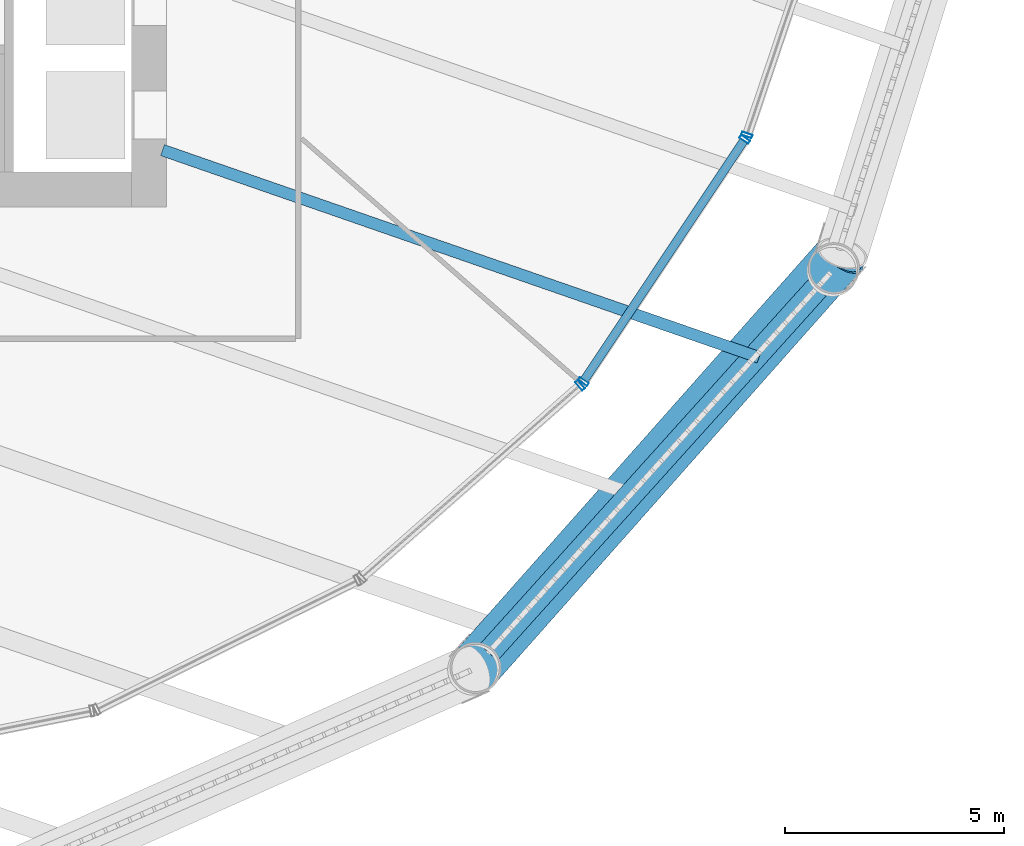
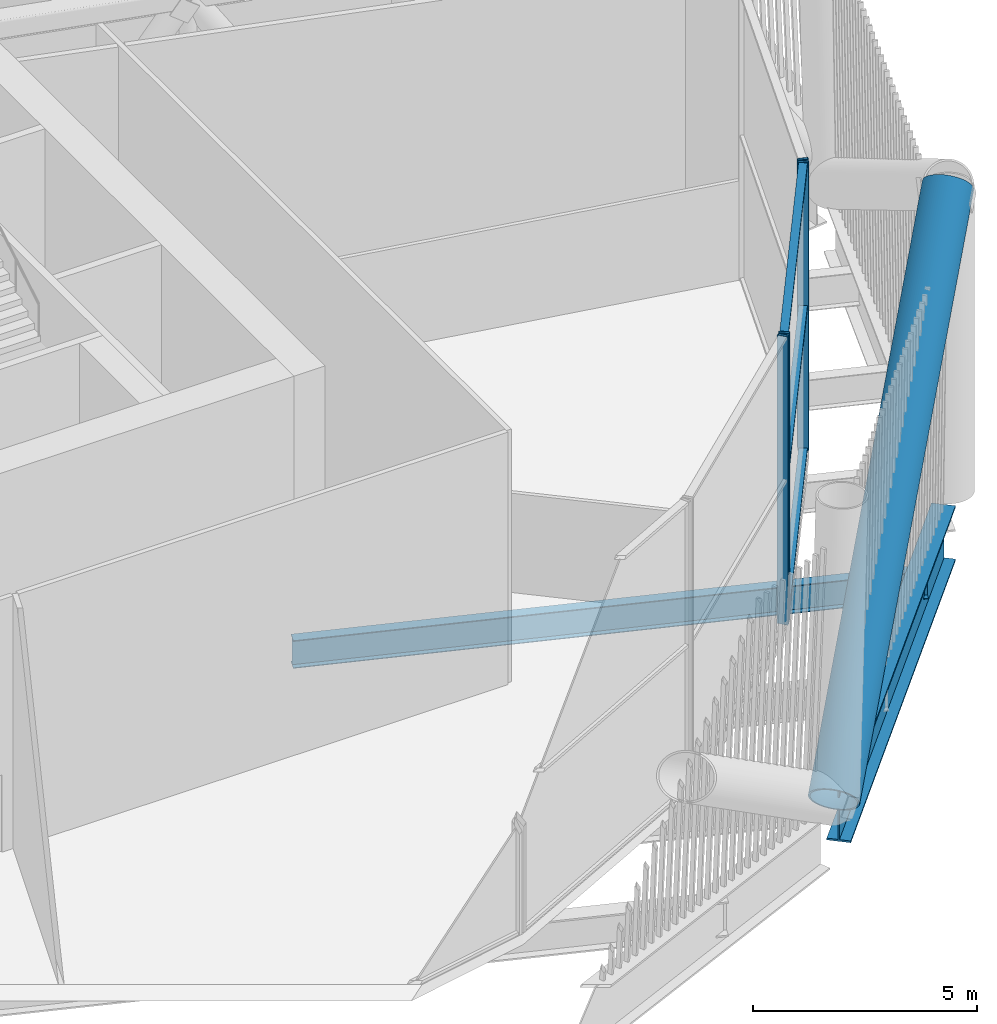
# One storey, part 19 of 63: 8 members, 2 beams, 3 elements without a shape of their own.
"""IFC4 building model written with IfcOpenShell, lengths in metres."""

import ifcopenshell
import ifcopenshell.guid

model = None  # the IFC model being written
_history = None  # IfcOwnerHistory: only IFC2X3 demands one
_inside = {}  # id of a spatial element -> (the spatial element, [elements in it])
_under = {}  # id of a project, library or spatial element -> (it, [spatial elements below it])
_declared = {}  # id of a project -> (the project, [libraries it declares])
_typed = {}  # id of a type object -> (the type object, [elements of that type])
_made_of = {}  # id of a material, layer set ... -> (it, [elements and type objects made of it])


def new_model(schema):
    """Start an empty IFC model of exactly this schema.

    Asked for "IFC4X3", IfcOpenShell would pick the latest addendum, in which some entities
    have other attributes; the version numbers below select the first issue.
    IFC2X3 requires an IfcOwnerHistory on every rooted entity: one is made here for all.
    """
    global model, _history
    if schema == "IFC4X3":
        model = ifcopenshell.file(schema_version=(4, 3, 0, 0))
    else:
        model = ifcopenshell.file(schema=schema)
    _inside.clear()
    _under.clear()
    _declared.clear()
    _typed.clear()
    _made_of.clear()
    _history = None
    if model.schema == "IFC2X3":
        org = make("IfcOrganization", Name="unknown")
        user = make(
            "IfcPersonAndOrganization",
            ThePerson=make("IfcPerson", FamilyName="unknown"),
            TheOrganization=org,
        )
        app = make(
            "IfcApplication",
            ApplicationDeveloper=org,
            Version="unknown",
            ApplicationFullName="unknown",
            ApplicationIdentifier="unknown",
        )
        _history = make(
            "IfcOwnerHistory",
            OwningUser=user,
            OwningApplication=app,
            ChangeAction="ADDED",
            CreationDate=0,
        )
    return model


def make(cls, **values):
    """One entity of the class cls with the attributes given. An attribute that is None is left unset."""
    return model.create_entity(
        cls, **{name: value for name, value in values.items() if value is not None}
    )


def rooted(cls, **values):
    """An entity with a GlobalId (a new one), such as an element, a storey or a relation."""
    return make(cls, GlobalId=ifcopenshell.guid.new(), OwnerHistory=_history, **values)


def si_unit(unit_type, name, prefix=None):
    """IfcSIUnit, for example si_unit("LENGTHUNIT", "METRE", prefix="MILLI")."""
    return make("IfcSIUnit", UnitType=unit_type, Prefix=prefix, Name=name)


def assignment(units):
    """IfcUnitAssignment: the units of a project."""
    return None if units is None else make("IfcUnitAssignment", Units=units)


def point(xyz):
    """IfcCartesianPoint."""
    return None if xyz is None else make("IfcCartesianPoint", Coordinates=xyz)


def direction(xyz):
    """IfcDirection."""
    return None if xyz is None else make("IfcDirection", DirectionRatios=xyz)


def frame(location, z_axis=None, x_axis=None):
    """IfcAxis2Placement3D, a coordinate frame: its origin and axes. An axis left out is left unset."""
    return make(
        "IfcAxis2Placement3D",
        Location=point(location),
        Axis=direction(z_axis),
        RefDirection=direction(x_axis),
    )


def frame_2d(location, x_axis=None):
    """IfcAxis2Placement2D, a coordinate frame in the plane: its origin and x axis."""
    return make(
        "IfcAxis2Placement2D", Location=point(location), RefDirection=direction(x_axis)
    )


def origin():
    """The frame at (0, 0, 0) with its axes left unset."""
    return frame((0.0, 0.0, 0.0))


def origin_2d():
    """The frame at (0, 0) in the plane with its x axis left unset."""
    return frame_2d((0.0, 0.0))


def place(relative_to, where):
    """IfcLocalPlacement: puts the frame where relative to a parent placement (None: the world)."""
    return make(
        "IfcLocalPlacement", PlacementRelTo=relative_to, RelativePlacement=where
    )


def context(
    kind, dimensions, precision=None, world=None, true_north=None, identifier=None
):
    """IfcGeometricRepresentationContext, for example the 3D "Model" context."""
    return make(
        "IfcGeometricRepresentationContext",
        ContextIdentifier=identifier,
        ContextType=kind,
        CoordinateSpaceDimension=dimensions,
        Precision=precision,
        WorldCoordinateSystem=world,
        TrueNorth=true_north,
    )


def subcontext(parent, identifier, kind, view, scale=None):
    """IfcGeometricRepresentationSubContext, for example "Body" below "Model"."""
    return make(
        "IfcGeometricRepresentationSubContext",
        ContextIdentifier=identifier,
        ContextType=kind,
        ParentContext=parent,
        TargetScale=scale,
        TargetView=view,
    )


def project(units=None, contexts=None):
    """IfcProject with its units and contexts."""
    return rooted(
        "IfcProject",
        Name="project",
        RepresentationContexts=contexts,
        UnitsInContext=assignment(units),
    )


def spatial(cls, under=None, at=None, **own):
    """A site, building, storey or space (cls), placed at a placement, below another one or the project."""
    s = rooted(cls, ObjectPlacement=at, **own)
    if under is not None:
        _under.setdefault(under.id(), (under, []))[1].append(s)
    return s


def profile(cls, at=None, kind="AREA", **sizes):
    """A parametric profile (cls). Its sizes go by their IFC names, for example OverallWidth=200.0."""
    return make(cls, ProfileType=kind, Position=at, **sizes)


def hollow_rectangle(**sizes):
    """IfcRectangleHollowProfileDef."""
    return profile("IfcRectangleHollowProfileDef", **sizes)


def hollow_circle(**sizes):
    """IfcCircleHollowProfileDef."""
    return profile("IfcCircleHollowProfileDef", **sizes)


def i_section(**sizes):
    """IfcIShapeProfileDef."""
    return profile("IfcIShapeProfileDef", **sizes)


def extrude(swept, where, along, depth):
    """IfcExtrudedAreaSolid: the profile swept, set in the frame where, extruded along a direction by depth."""
    return make(
        "IfcExtrudedAreaSolid",
        SweptArea=swept,
        Position=where,
        ExtrudedDirection=direction(along),
        Depth=depth,
    )


def shape(context_of_items, identifier, shape_type, items):
    """IfcShapeRepresentation: the items that make up one representation, for example the "Body"."""
    return make(
        "IfcShapeRepresentation",
        ContextOfItems=context_of_items,
        RepresentationIdentifier=identifier,
        RepresentationType=shape_type,
        Items=items,
    )


def material(Name=None, Category=None):
    """IfcMaterial."""
    return make("IfcMaterial", Name=Name, Category=Category)


def layer(
    of_material, thickness, ventilated=None, Name=None, Category=None, Priority=None
):
    """IfcMaterialLayer: one layer of a wall or slab, of a material (None: an air gap)."""
    return make(
        "IfcMaterialLayer",
        Material=of_material,
        LayerThickness=thickness,
        IsVentilated=ventilated,
        Name=Name,
        Category=Category,
        Priority=Priority,
    )


def layer_set(layers, Name=None):
    """IfcMaterialLayerSet."""
    return make("IfcMaterialLayerSet", MaterialLayers=layers, LayerSetName=Name)


def material_profile(
    of_material, cross_section, Name=None, Category=None, Priority=None
):
    """IfcMaterialProfile: a cross section and its material."""
    return make(
        "IfcMaterialProfile",
        Name=Name,
        Material=of_material,
        Profile=cross_section,
        Priority=Priority,
        Category=Category,
    )


def profile_set(profiles, Name=None, composite=None):
    """IfcMaterialProfileSet."""
    return make(
        "IfcMaterialProfileSet",
        Name=Name,
        MaterialProfiles=profiles,
        CompositeProfile=composite,
    )


def made_of(thing, what):
    """Note that an element or type object is made of a material, layer set ...; save() writes the relation."""
    if what is not None:
        _made_of.setdefault(what.id(), (what, []))[1].append(thing)
    return thing


def type_object(cls, material=None, **own):
    """A type object (cls), such as IfcWallType, which elements share."""
    return made_of(rooted(cls, **own), material)


def element(
    cls,
    number,
    at=None,
    inside=None,
    cuts=None,
    type_object=None,
    material=None,
    context=None,
    identifier="Body",
    shape_type=None,
    held_by="IfcProductDefinitionShape",
    body=None,
    shapes=None,
    **own,
):
    """One element of the class cls, such as IfcWall. Its Tag is "e" and its number.

    at: its placement. inside: the storey or other place that contains it. cuts: it is an
    opening in that element (IfcRelVoidsElement). A single representation is given by context,
    identifier, shape_type and body (its items); several are given by shapes. held_by: the class
    of the entity that holds the representations. save() writes the other relations.
    """
    e = rooted(cls, Tag="e%d" % number, ObjectPlacement=at, **own)
    if body is not None:
        shapes = [shape(context, identifier, shape_type, body)]
    if shapes is not None:
        e.Representation = make(held_by, Representations=shapes)
    if inside is not None:
        _inside.setdefault(inside.id(), (inside, []))[1].append(e)
    if cuts is not None:
        rooted(
            "IfcRelVoidsElement", RelatingBuildingElement=cuts, RelatedOpeningElement=e
        )
    if type_object is not None:
        _typed.setdefault(type_object.id(), (type_object, []))[1].append(e)
    return made_of(e, material)


def aggregate(whole, parts):
    """IfcRelAggregates: a whole, such as a stair, and the parts it consists of."""
    return rooted("IfcRelAggregates", RelatingObject=whole, RelatedObjects=parts)


def save(model, path):
    """Write the relations noted so far, then the file.

    IfcRelAggregates (storeys below a building ...), IfcRelContainedInSpatialStructure (elements
    in a storey), IfcRelDefinesByType, IfcRelAssociatesMaterial and IfcRelDeclares: one each for
    every whole, place, type object, material and project.
    """
    for whole, parts in _under.values():
        aggregate(whole, parts)
    for where, things in _inside.values():
        rooted(
            "IfcRelContainedInSpatialStructure",
            RelatedElements=things,
            RelatingStructure=where,
        )
    for kind, things in _typed.values():
        rooted("IfcRelDefinesByType", RelatedObjects=things, RelatingType=kind)
    for what, things in _made_of.values():
        rooted("IfcRelAssociatesMaterial", RelatedObjects=things, RelatingMaterial=what)
    for by, libraries in _declared.values():
        rooted("IfcRelDeclares", RelatingContext=by, RelatedDefinitions=libraries)
    model.write(path)


model = new_model("IFC4")

# Units and contexts
model_context = context("Model", 3, precision=1e-05, world=origin(), true_north=direction((0.0, 1.0)))
body_context = subcontext(model_context, "Body", "Model", "MODEL_VIEW")
ifc_project = project(units=[si_unit("LENGTHUNIT", "METRE"), si_unit("AREAUNIT", "SQUARE_METRE"), si_unit("VOLUMEUNIT", "CUBIC_METRE"), si_unit("PLANEANGLEUNIT", "RADIAN"), si_unit("MASSUNIT", "GRAM", prefix="KILO")], contexts=[model_context])

# Site, building, storey
site_placement = place(None, origin())
site = spatial("IfcSite", under=ifc_project, at=site_placement, CompositionType="ELEMENT")
building_placement = place(site_placement, origin())
building = spatial("IfcBuilding", under=site, at=building_placement, Name="Tarsis Ring Headquarters", CompositionType="ELEMENT")
storey_placement = place(building_placement, frame((0.0, 0.0, 139.60009765625)))
storey = spatial("IfcBuildingStorey", under=building, at=storey_placement, Name="L32", CompositionType="ELEMENT", Elevation=139.60009765625)

# Curtain wall, member
ifc_material_1 = material(Name="Aluminium curtain wall", Category="aluminium")
ifc_layer = layer(ifc_material_1, 0.25)
ifc_layer_set = layer_set([ifc_layer], Name="Curtain wall sky lobby")
curtain_wall_type = type_object("IfcCurtainWallType", Name="Curtain wall sky lobby", PredefinedType="NOTDEFINED", material=ifc_layer_set)
curtain_wall_1_placement = place(storey_placement, origin())
curtain_wall_1 = element("IfcCurtainWall", 1, at=curtain_wall_1_placement, inside=storey, type_object=curtain_wall_type, Name="Curtain wall L32-19", PredefinedType="NOTDEFINED")
ifc_material_2 = material(Name="Aluminium mullion", Category="aluminium")
ifc_material_profile_1 = material_profile(ifc_material_2, hollow_rectangle(XDim=0.25, YDim=0.080078125, WallThickness=0.0048828125, at=origin_2d()), Name="RHS 250x80x5")
ifc_profile_set_1 = profile_set([ifc_material_profile_1], Name="Aluminium mullion")
member_type_1 = type_object("IfcMemberType", Name="Curtain wall mullion sky lobby RHS 250x80x5", PredefinedType="MULLION", material=ifc_profile_set_1)
member_1_placement = place(storey_placement, frame((19.4375, -17.066650390625, 0.0), z_axis=(0.0, 0.0, 1.0), x_axis=(-0.660526016469, 0.75080315767, 0.0)))
member_1 = element("IfcMember", 2, at=member_1_placement, type_object=member_type_1, Name="CW-S mullion 2", PredefinedType="MULLION", context=body_context, shape_type="SweptSolid", body=[
    extrude(hollow_rectangle(XDim=0.25, YDim=0.080078125, WallThickness=0.0048828125, at=origin_2d()), origin(), (0.0, 0.0, 1.0), 7.83984375),
])
aggregate(curtain_wall_1, [member_1])

# Curtain wall, members
curtain_wall_2_placement = place(storey_placement, origin())
curtain_wall_2 = element("IfcCurtainWall", 3, at=curtain_wall_2_placement, inside=storey, type_object=curtain_wall_type, Name="Curtain wall L32-20", PredefinedType="NOTDEFINED")
member_2_placement = place(storey_placement, frame((19.51123046875, -16.982177734375, 0.0), z_axis=(0.0, 0.0, 1.0), x_axis=(-0.832341299157, 0.554263440719, 0.0)))
member_2 = element("IfcMember", 4, at=member_2_placement, type_object=member_type_1, Name="CW-S mullion 1", PredefinedType="MULLION", context=body_context, shape_type="SweptSolid", body=[
    extrude(hollow_rectangle(XDim=0.25, YDim=0.080078125, WallThickness=0.0048828125, at=origin_2d()), origin(), (0.0, 0.0, 1.0), 7.83984375),
])
member_3_placement = place(storey_placement, frame((23.1923828125, -11.454345703125, 0.0), z_axis=(0.0, 0.0, 1.0), x_axis=(-0.832341299157, 0.554263440719, 0.0)))
member_3 = element("IfcMember", 5, at=member_3_placement, type_object=member_type_1, Name="CW-S mullion 2", PredefinedType="MULLION", context=body_context, shape_type="SweptSolid", body=[
    extrude(hollow_rectangle(XDim=0.25, YDim=0.080078125, WallThickness=0.0048828125, at=origin_2d()), origin(), (0.0, 0.0, 1.0), 7.83984375),
])

# Curtain wall, member
curtain_wall_3_placement = place(storey_placement, origin())
curtain_wall_3 = element("IfcCurtainWall", 6, at=curtain_wall_3_placement, inside=storey, type_object=curtain_wall_type, Name="Curtain wall L32-21", PredefinedType="NOTDEFINED")
member_4_placement = place(storey_placement, frame((23.24169921875, -11.353759765625, 0.0), z_axis=(0.0, 0.0, 1.0), x_axis=(-0.947433852755, 0.319951706751, 0.0)))
member_4 = element("IfcMember", 7, at=member_4_placement, type_object=member_type_1, Name="CW-S mullion 1", PredefinedType="MULLION", context=body_context, shape_type="SweptSolid", body=[
    extrude(hollow_rectangle(XDim=0.25, YDim=0.080078125, WallThickness=0.0048828125, at=origin_2d()), origin(), (0.0, 0.0, 1.0), 7.83984375),
])
aggregate(curtain_wall_3, [member_4])

# Member
ifc_material_3 = material(Name="Aluminium transom", Category="aluminium")
ifc_material_profile_2 = material_profile(ifc_material_3, hollow_rectangle(XDim=0.199951171875, YDim=0.080078125, WallThickness=0.0048828125, at=origin_2d()), Name="RHS 200x80x5")
ifc_profile_set_2 = profile_set([ifc_material_profile_2], Name="Aluminium transom")
member_type_2 = type_object("IfcMemberType", Name="Curtain wall transom sky lobby RHS 200x80x5", PredefinedType="USERDEFINED", material=ifc_profile_set_2)
member_5_placement = place(storey_placement, frame((19.533203125, -16.948974609375, 0.039794921875), z_axis=(0.554279394905, 0.832330674903, 0.0), x_axis=(-0.832330674903, 0.554279394905, 0.0)))
member_5 = element("IfcMember", 8, at=member_5_placement, type_object=member_type_2, Name="CW-S transom 1.1", ObjectType="TRANSOM", PredefinedType="USERDEFINED", context=body_context, shape_type="SweptSolid", body=[
    extrude(hollow_rectangle(XDim=0.199951171875, YDim=0.080078125, WallThickness=0.0048828125, at=origin_2d()), origin(), (0.0, 0.0, 1.0), 6.5615234375),
])

member_6_placement = place(storey_placement, frame((19.533203125, -16.948974609375, 3.919921875), z_axis=(0.554279394905, 0.832330674903, 0.0), x_axis=(-0.832330674903, 0.554279394905, 0.0)))
member_6 = element("IfcMember", 9, at=member_6_placement, type_object=member_type_2, Name="CW-S transom 1.2", ObjectType="TRANSOM", PredefinedType="USERDEFINED", context=body_context, shape_type="SweptSolid", body=[
    extrude(hollow_rectangle(XDim=0.199951171875, YDim=0.080078125, WallThickness=0.0048828125, at=origin_2d()), origin(), (0.0, 0.0, 1.0), 6.5615234375),
])

member_7_placement = place(storey_placement, frame((19.533203125, -16.948974609375, 7.7998046875), z_axis=(0.554279394905, 0.832330674903, 0.0), x_axis=(-0.832330674903, 0.554279394905, 0.0)))
member_7 = element("IfcMember", 10, at=member_7_placement, type_object=member_type_2, Name="CW-S transom 1.3", ObjectType="TRANSOM", PredefinedType="USERDEFINED", context=body_context, shape_type="SweptSolid", body=[
    extrude(hollow_rectangle(XDim=0.199951171875, YDim=0.080078125, WallThickness=0.0048828125, at=origin_2d()), origin(), (0.0, 0.0, 1.0), 6.5615234375),
])

aggregate(curtain_wall_2, [member_2, member_3, member_5, member_6, member_7])

# Beam
ifc_material_4 = material(Name="Structural steel S355", Category="steel")
ifc_material_profile_3 = material_profile(ifc_material_4, i_section(OverallWidth=0.2666015625, OverallDepth=0.7568359375, WebThickness=0.013916015625, FlangeThickness=0.019287109375, at=origin_2d()), Name="W30x108")
ifc_profile_set_3 = profile_set([ifc_material_profile_3], Name="Structural steel S355")
beam_type_1 = type_object("IfcBeamType", Name="FB Floor beam W30x108", PredefinedType="JOIST", material=ifc_profile_set_3)
beam_1_placement = place(storey_placement, frame((9.905517578125, -11.69921875, -0.678466796875), z_axis=(0.944610303033, -0.328194112386, 0.0), x_axis=(0.328194112386, 0.944610303033, 0.0)))
element("IfcBeam", 11, at=beam_1_placement, inside=storey, type_object=beam_type_1, Name="Floor beam FB6", PredefinedType="JOIST", context=body_context, shape_type="SweptSolid", body=[
    extrude(i_section(OverallWidth=0.2666015625, OverallDepth=0.7568359375, WebThickness=0.013916015625, FlangeThickness=0.019287109375, at=origin_2d()), origin(), (0.0, 0.0, 1.0), 14.414306640625),
])

# Member
ifc_material_profile_4 = material_profile(ifc_material_4, hollow_circle(Radius=0.584228515625, WallThickness=0.044921875, at=origin_2d()), Name="CHS 1168x45")
ifc_profile_set_4 = profile_set([ifc_material_profile_4], Name="Structural steel S355")
member_type_3 = type_object("IfcMemberType", Name="TD Belt truss diagonal CHS 1168x45", PredefinedType="BRACE", material=ifc_profile_set_4)
member_8_placement = place(storey_placement, frame((16.997314453125, -23.556396484375, 0.0), z_axis=(0.561321865311, 0.63297789867, 0.533157334489), x_axis=(-0.748186579356, 0.663488389101, 0.0)))
element("IfcMember", 12, at=member_8_placement, inside=storey, type_object=member_type_3, Name="Belt truss diagonal TD3", PredefinedType="BRACE", context=body_context, shape_type="SweptSolid", body=[
    extrude(hollow_circle(Radius=0.584228515625, WallThickness=0.044921875, at=origin_2d()), origin(), (0.0, 0.0, 1.0), 15.0048828125),
])

# Beam
ifc_material_profile_5 = material_profile(ifc_material_4, i_section(OverallWidth=0.550048828125, OverallDepth=1.5, WebThickness=0.030029296875, FlangeThickness=0.050048828125, at=origin_2d()), Name="PG 1500x550x30x50")
ifc_profile_set_5 = profile_set([ifc_material_profile_5], Name="Structural steel S355")
beam_type_2 = type_object("IfcBeamType", Name="XG Ring girder PG 1500x550x30x50", PredefinedType="BEAM", material=ifc_profile_set_5)
beam_2_placement = place(storey_placement, frame((17.34912109375, -23.165771484375, -0.75), z_axis=(0.669344096751, 0.742952542323, 0.0), x_axis=(-0.742952542323, 0.669344096751, 0.0)))
element("IfcBeam", 13, at=beam_2_placement, inside=storey, type_object=beam_type_2, Name="Ring girder XG6", PredefinedType="BEAM", context=body_context, shape_type="SweptSolid", body=[
    extrude(i_section(OverallWidth=0.550048828125, OverallDepth=1.5, WebThickness=0.030029296875, FlangeThickness=0.050048828125, at=origin_2d()), origin(), (0.0, 0.0, 1.0), 11.197265625),
])

save(model, "model.ifc")
